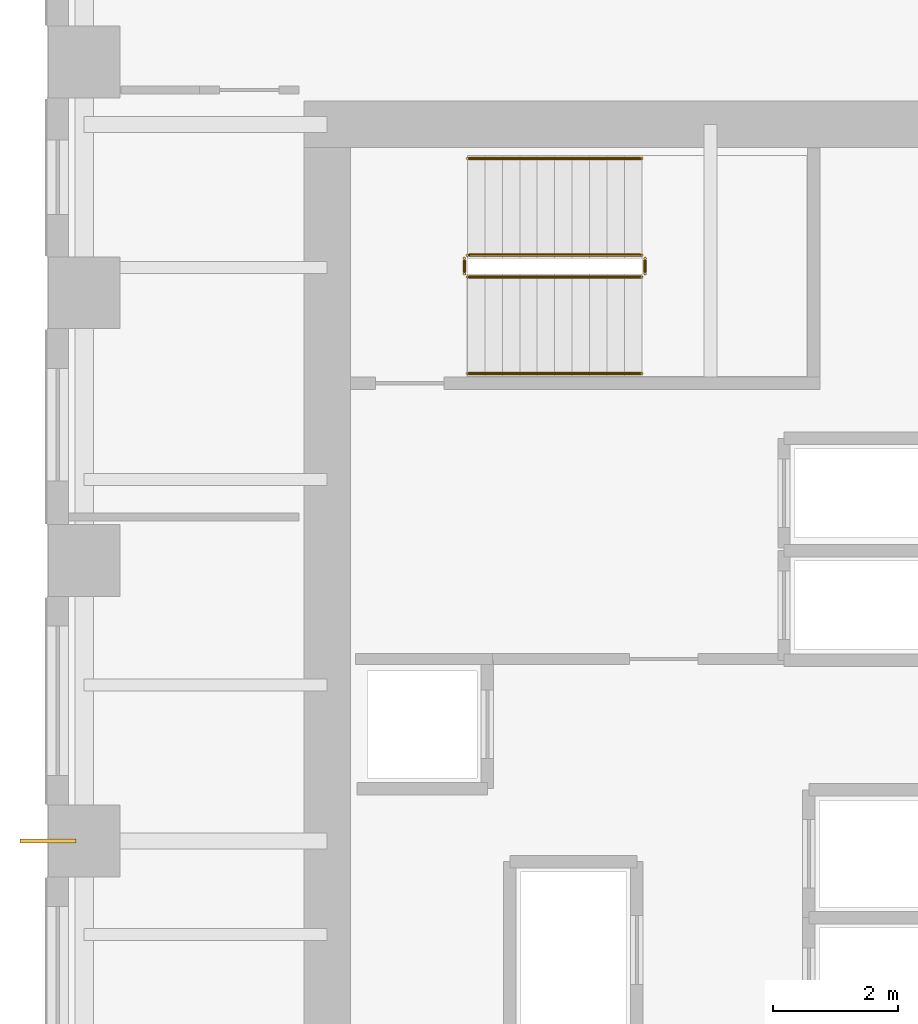
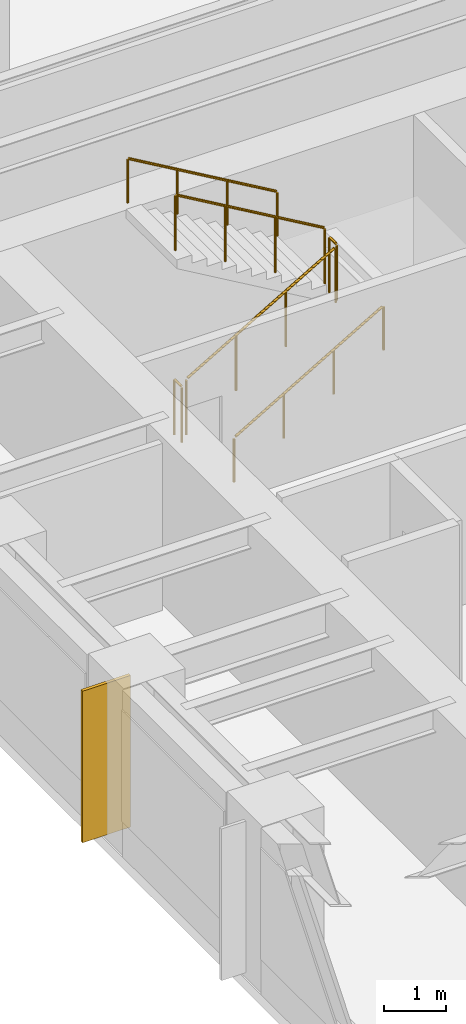
# One storey, part 11 of 12: 6 railings, 1 covering.
"""IFC4 building model written with IfcOpenShell, lengths in metres."""

from ifc_helpers import new_model, si_unit, direction, frame, origin, origin_2d, place, context, subcontext, project, spatial, rectangle, circle, extrude, source, transform, mapped, material, layer, layer_set, type_object, element, save


model = new_model("IFC4")

# Units and contexts
model_context = context("Model", 3, precision=1e-05, world=origin(), true_north=direction((0.0, 1.0)))
body_context = subcontext(model_context, "Body", "Model", "MODEL_VIEW")
ifc_project = project(units=[si_unit("LENGTHUNIT", "METRE"), si_unit("AREAUNIT", "SQUARE_METRE"), si_unit("VOLUMEUNIT", "CUBIC_METRE"), si_unit("PLANEANGLEUNIT", "RADIAN"), si_unit("MASSUNIT", "GRAM", prefix="KILO")], contexts=[model_context])

# Site, building, storey
site_placement = place(None, origin())
site = spatial("IfcSite", under=ifc_project, at=site_placement, CompositionType="ELEMENT")
building_placement = place(site_placement, origin())
building = spatial("IfcBuilding", under=site, at=building_placement, Name="Kharzan Plaza Tower", CompositionType="ELEMENT")
storey_placement = place(building_placement, frame((0.0, 0.0, 135.0)))
storey = spatial("IfcBuildingStorey", under=building, at=storey_placement, Name="L36", CompositionType="ELEMENT", Elevation=135.0)

# Railings
ifc_material_1 = material(Name="Painted Galvanized Architectural Steel", Category="steel")
ifc_layer_1 = layer(ifc_material_1, 0.074951171875)
ifc_layer_set_1 = layer_set([ifc_layer_1], Name="Painted Galvanized Architectural Steel")
railing_type_1 = type_object("IfcRailingType", Name="RL-GUARD-1120", PredefinedType="BALUSTRADE", material=ifc_layer_set_1)
shared_shape_1 = source(origin(), body_context, "Body", "SweptSolid", [
    extrude(circle(Radius=0.02392578125, at=origin_2d()), frame((0.0, 0.0263671875, 1.09619140625), z_axis=(0.0, 1.0, 0.0), x_axis=(-1.0, 0.0, 0.0)), (0.0, 0.0, 1.0), 0.197021484375),
    extrude(circle(Radius=0.02099609375, at=origin_2d()), origin(), (0.0, 0.0, 1.0), 1.072021484375),
    extrude(circle(Radius=0.02099609375, at=origin_2d()), frame((0.0, 0.25, 0.0)), (0.0, 0.0, 1.0), 1.072021484375),
])
for number, where, name in (
    (1, (9.60009765625, 27.10009765625, 1.800048828125), "L36 ST-2 stair guard 2"),
    (2, (6.699951171875, 27.10009765625, 0.0), "L36 ST-2 stair guard 4"),
):
    element("IfcRailing", number, at=place(storey_placement, frame(where)), inside=storey, type_object=railing_type_1, Name=name, PredefinedType="BALUSTRADE", context=body_context, shape_type="MappedRepresentation", body=[
        mapped(shared_shape_1, transform((0.0, 0.0, 0.0), x_axis=(1.0, 0.0, 0.0), y_axis=(0.0, 1.0, 0.0), z_axis=(0.0, 0.0, 1.0))),
    ])

# Covering
ifc_material_2 = material(Name="Honed Riyadh Limestone", Category="masonry")
ifc_layer_2 = layer(ifc_material_2, 0.06005859375)
ifc_layer_set_2 = layer_set([ifc_layer_2], Name="Honed Riyadh Limestone")
covering_type = type_object("IfcCoveringType", Name="COV-CLAD-STONE", PredefinedType="CLADDING", material=ifc_layer_set_2)
shared_shape_2 = source(origin(), body_context, "Body", "SweptSolid", [
    extrude(rectangle(XDim=0.06005859375, YDim=0.89990234375, at=origin_2d()), origin(), (0.0, 0.0, 1.0), 3.0),
])
covering_placement = place(storey_placement, frame((0.02001953125, 18.0, 0.10009765625), z_axis=(0.0, 0.0, 1.0), x_axis=(0.0, 1.0, 0.0)))
element("IfcCovering", 3, at=covering_placement, inside=storey, type_object=covering_type, Name="L36 Limestone Pier Rainscreen Cladding TCW-180", PredefinedType="CLADDING", context=body_context, shape_type="MappedRepresentation", body=[
    mapped(shared_shape_2, transform((0.0, 0.0, 0.0), x_axis=(1.0, 0.0, 0.0), y_axis=(0.0, 1.0, 0.0), z_axis=(0.0, 0.0, 1.0))),
])

# Railings
shared_shape_3 = source(origin(), body_context, "Body", "SweptSolid", [
    extrude(circle(Radius=0.02392578125, at=origin_2d()), frame((0.02294921875, 0.0, 1.109375), z_axis=(0.863360870873, 0.0, 0.504586966384), x_axis=(0.0, 1.0, 0.0)), (0.0, 0.0, 1.0), 3.190185546875),
    extrude(circle(Radius=0.02099609375, at=origin_2d()), origin(), (0.0, 0.0, 1.0), 1.072021484375),
    extrude(circle(Radius=0.02099609375, at=origin_2d()), frame((0.933349609375, 0.0, 0.54541015625)), (0.0, 0.0, 1.0), 1.072021484375),
    extrude(circle(Radius=0.02099609375, at=origin_2d()), frame((1.86669921875, 0.0, 1.091064453125)), (0.0, 0.0, 1.0), 1.072021484375),
    extrude(circle(Radius=0.02099609375, at=origin_2d()), frame((2.800048828125, 0.0, 1.636474609375)), (0.0, 0.0, 1.0), 1.072021484375),
])
railing_1_placement = place(storey_placement, frame((6.75, 27.050048828125, 0.16357421875)))
element("IfcRailing", 4, at=railing_1_placement, inside=storey, type_object=railing_type_1, Name="L36 ST-2 stair guard 1", PredefinedType="BALUSTRADE", context=body_context, shape_type="MappedRepresentation", body=[
    mapped(shared_shape_3, transform((0.0, 0.0, 0.0), x_axis=(1.0, 0.0, 0.0), y_axis=(0.0, 1.0, 0.0), z_axis=(0.0, 0.0, 1.0))),
])
shared_shape_4 = source(origin(), body_context, "Body", "SweptSolid", [
    extrude(circle(Radius=0.02392578125, at=origin_2d()), frame((-0.02294921875, 0.0, 1.109375), z_axis=(-0.863360870873, 0.0, 0.504586966384), x_axis=(0.0, -1.0, 0.0)), (0.0, 0.0, 1.0), 3.190185546875),
    extrude(circle(Radius=0.02099609375, at=origin_2d()), origin(), (0.0, 0.0, 1.0), 1.072021484375),
    extrude(circle(Radius=0.02099609375, at=origin_2d()), frame((-0.933349609375, 0.0, 0.54541015625)), (0.0, 0.0, 1.0), 1.072021484375),
    extrude(circle(Radius=0.02099609375, at=origin_2d()), frame((-1.86669921875, 0.0, 1.091064453125)), (0.0, 0.0, 1.0), 1.072021484375),
    extrude(circle(Radius=0.02099609375, at=origin_2d()), frame((-2.800048828125, 0.0, 1.636474609375)), (0.0, 0.0, 1.0), 1.072021484375),
])
railing_2_placement = place(storey_placement, frame((9.550048828125, 27.39990234375, 1.963623046875)))
element("IfcRailing", 5, at=railing_2_placement, inside=storey, type_object=railing_type_1, Name="L36 ST-2 stair guard 3", PredefinedType="BALUSTRADE", context=body_context, shape_type="MappedRepresentation", body=[
    mapped(shared_shape_4, transform((0.0, 0.0, 0.0), x_axis=(1.0, 0.0, 0.0), y_axis=(0.0, 1.0, 0.0), z_axis=(0.0, 0.0, 1.0))),
])
ifc_material_3 = material(Name="Brushed Stainless Steel", Category="steel")
ifc_layer_3 = layer(ifc_material_3, 0.050048828125)
ifc_layer_set_3 = layer_set([ifc_layer_3], Name="Brushed Stainless Steel")
railing_type_2 = type_object("IfcRailingType", Name="RL-STAIR-HR920", PredefinedType="HANDRAIL", material=ifc_layer_set_3)
shared_shape_5 = source(origin(), body_context, "Body", "SweptSolid", [
    extrude(circle(Radius=0.02392578125, at=origin_2d()), frame((0.02294921875, 0.0, 0.88916015625), z_axis=(0.863360870873, 0.0, 0.504586966384), x_axis=(0.0, 1.0, 0.0)), (0.0, 0.0, 1.0), 3.190185546875),
    extrude(circle(Radius=0.02099609375, at=origin_2d()), origin(), (0.0, 0.0, 1.0), 0.851806640625),
    extrude(circle(Radius=0.02099609375, at=origin_2d()), frame((0.933349609375, 0.0, 0.54541015625)), (0.0, 0.0, 1.0), 0.851806640625),
    extrude(circle(Radius=0.02099609375, at=origin_2d()), frame((1.86669921875, 0.0, 1.091064453125)), (0.0, 0.0, 1.0), 0.851806640625),
    extrude(circle(Radius=0.02099609375, at=origin_2d()), frame((2.800048828125, 0.0, 1.636474609375)), (0.0, 0.0, 1.0), 0.851806640625),
])
railing_3_placement = place(storey_placement, frame((6.75, 25.5, 0.16357421875)))
element("IfcRailing", 6, at=railing_3_placement, inside=storey, type_object=railing_type_2, Name="L36 ST-2 stair handrail 1", PredefinedType="HANDRAIL", context=body_context, shape_type="MappedRepresentation", body=[
    mapped(shared_shape_5, transform((0.0, 0.0, 0.0), x_axis=(1.0, 0.0, 0.0), y_axis=(0.0, 1.0, 0.0), z_axis=(0.0, 0.0, 1.0))),
])
shared_shape_6 = source(origin(), body_context, "Body", "SweptSolid", [
    extrude(circle(Radius=0.02392578125, at=origin_2d()), frame((-0.02294921875, 0.0, 0.88916015625), z_axis=(-0.863360870873, 0.0, 0.504586966384), x_axis=(0.0, -1.0, 0.0)), (0.0, 0.0, 1.0), 3.190185546875),
    extrude(circle(Radius=0.02099609375, at=origin_2d()), origin(), (0.0, 0.0, 1.0), 0.851806640625),
    extrude(circle(Radius=0.02099609375, at=origin_2d()), frame((-0.933349609375, 0.0, 0.54541015625)), (0.0, 0.0, 1.0), 0.851806640625),
    extrude(circle(Radius=0.02099609375, at=origin_2d()), frame((-1.86669921875, 0.0, 1.091064453125)), (0.0, 0.0, 1.0), 0.851806640625),
    extrude(circle(Radius=0.02099609375, at=origin_2d()), frame((-2.800048828125, 0.0, 1.636474609375)), (0.0, 0.0, 1.0), 0.851806640625),
])
railing_4_placement = place(storey_placement, frame((9.550048828125, 28.949951171875, 1.963623046875)))
element("IfcRailing", 7, at=railing_4_placement, inside=storey, type_object=railing_type_2, Name="L36 ST-2 stair handrail 2", PredefinedType="HANDRAIL", context=body_context, shape_type="MappedRepresentation", body=[
    mapped(shared_shape_6, transform((0.0, 0.0, 0.0), x_axis=(1.0, 0.0, 0.0), y_axis=(0.0, 1.0, 0.0), z_axis=(0.0, 0.0, 1.0))),
])

save(model, "model.ifc")
